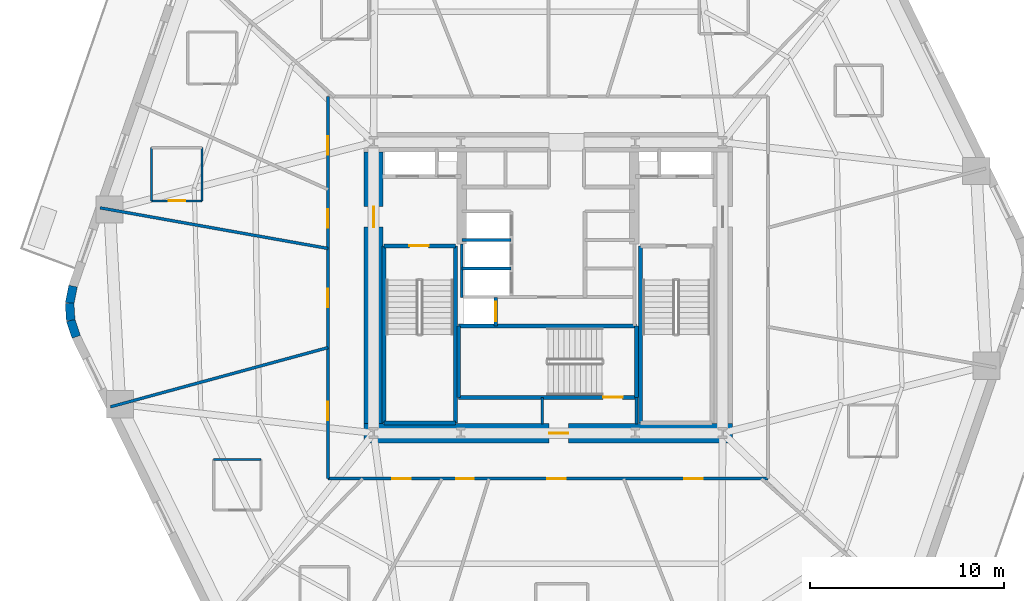
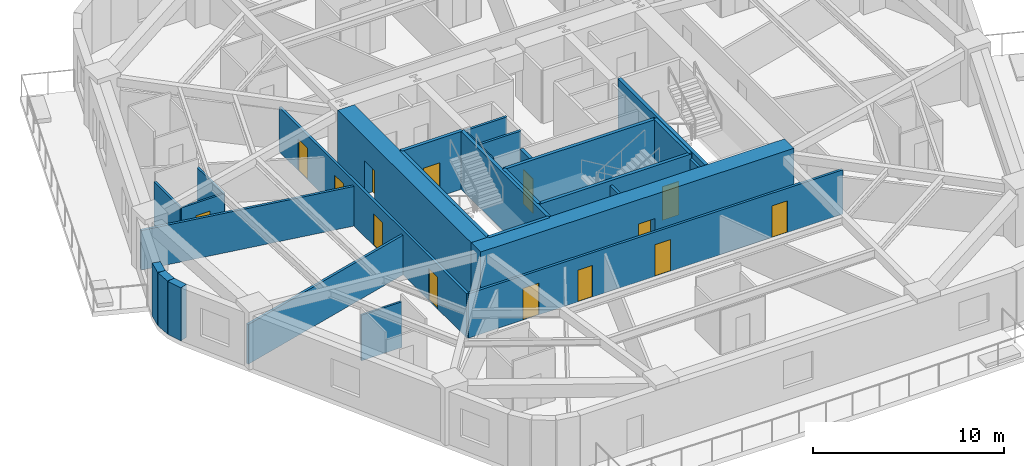
# One storey, part 3 of 10: 28 walls, 14 doors, 14 openings.
"""IFC4 building model written with IfcOpenShell, lengths in metres."""

from ifc_helpers import new_model, si_unit, direction, frame, frame_2d, origin, place, context, subcontext, project, spatial, rectangle, extrude, material, layer, layer_set, type_object, element, fill, save


model = new_model("IFC4")

# Units and contexts
model_context = context("Model", 3, precision=1e-05, world=origin(), true_north=direction((0.0, 1.0)))
body_context = subcontext(model_context, "Body", "Model", "MODEL_VIEW")
ifc_project = project(units=[si_unit("LENGTHUNIT", "METRE"), si_unit("AREAUNIT", "SQUARE_METRE"), si_unit("VOLUMEUNIT", "CUBIC_METRE"), si_unit("PLANEANGLEUNIT", "RADIAN"), si_unit("MASSUNIT", "GRAM", prefix="KILO")], contexts=[model_context])

# Site, building, storey
site_placement = place(None, origin())
site = spatial("IfcSite", under=ifc_project, at=site_placement, CompositionType="ELEMENT")
building_placement = place(site_placement, origin())
building = spatial("IfcBuilding", under=site, at=building_placement, Name="Kilnhurst Terrace Hotel", CompositionType="ELEMENT")
storey_placement = place(building_placement, frame((0.0, 0.0, 71.199951171875)))
storey = spatial("IfcBuildingStorey", under=building, at=storey_placement, Name="L16", CompositionType="ELEMENT", Elevation=71.199951171875)

# Walls
ifc_material_1 = material(Name="Precast concrete C40/50", Category="concrete")
ifc_layer_1 = layer(ifc_material_1, 0.449951171875, Name="Precast concrete C40/50")
ifc_layer_set_1 = layer_set([ifc_layer_1], Name="Precast concrete C40/50")
wall_type_1 = type_object("IfcWallType", Name="WL-BRK-450", PredefinedType="SOLIDWALL", material=ifc_layer_set_1)
wall_1_placement = place(storey_placement, frame((-24.49560546875, 0.07666015625, 0.0), z_axis=(0.0, 0.0, 1.0), x_axis=(-0.199570594521, -0.979883451132, 0.0)))
element("IfcWall", 1, at=wall_1_placement, inside=storey, type_object=wall_type_1, Name="L16 Rounded Corner Brick Wall C6.1", PredefinedType="SOLIDWALL", context=body_context, shape_type="SweptSolid", body=[
    extrude(rectangle(XDim=0.896728515625, YDim=0.449951171875, at=frame_2d((0.4482421875, 0.0))), origin(), (0.0, 0.0, 1.0), 3.400146484375),
])
wall_2_placement = place(storey_placement, frame((-24.674560546875, -0.802001953125, 0.0), z_axis=(0.0, 0.0, 1.0), x_axis=(0.061188874166, -0.998126205286, 0.0)))
element("IfcWall", 2, at=wall_2_placement, inside=storey, type_object=wall_type_1, Name="L16 Rounded Corner Brick Wall C6.2", PredefinedType="SOLIDWALL", context=body_context, shape_type="SweptSolid", body=[
    extrude(rectangle(XDim=0.8818359375, YDim=0.449951171875, at=frame_2d((0.44091796875, 0.0))), origin(), (0.0, 0.0, 1.0), 3.400146484375),
])
wall_3_placement = place(storey_placement, frame((-24.62060546875, -1.68212890625, 0.0), z_axis=(0.0, 0.0, 1.0), x_axis=(0.317697451681, -0.948192137278, 0.0)))
element("IfcWall", 3, at=wall_3_placement, inside=storey, type_object=wall_type_1, Name="L16 Rounded Corner Brick Wall C6.3", PredefinedType="SOLIDWALL", context=body_context, shape_type="SweptSolid", body=[
    extrude(rectangle(XDim=0.896728515625, YDim=0.449951171875, at=frame_2d((0.4482421875, 0.0))), origin(), (0.0, 0.0, 1.0), 3.400146484375),
])

# Wall, openings, doors
ifc_material_2 = material(Name="Acoustic Double-Gypsum Corridor Partition Assembly")
ifc_layer_2 = layer(ifc_material_2, 0.14990234375, Name="Acoustic Double-Gypsum Corridor Partition Assembly")
ifc_layer_set_2 = layer_set([ifc_layer_2], Name="Acoustic Double-Gypsum Corridor Partition Assembly")
wall_type_2 = type_object("IfcWallType", Name="WL-COR-150", PredefinedType="PARTITIONING", material=ifc_layer_set_2)
wall_4_placement = place(storey_placement, frame((-11.35009765625, -9.85009765625, 0.0), z_axis=(0.0, 0.0, 1.0), x_axis=(0.0, 1.0, 0.0)))
wall_4 = element("IfcWall", 4, at=wall_4_placement, inside=storey, type_object=wall_type_2, Name="L16 Interior Wall WL-L16-COR-01", PredefinedType="PARTITIONING", context=body_context, shape_type="SweptSolid", body=[
    extrude(rectangle(XDim=19.7001953125, YDim=0.14990234375, at=frame_2d((9.85009765625, 0.0))), origin(), (0.0, 0.0, 1.0), 2.840087890625),
])
opening_1_placement = place(wall_4_placement, frame((16.714111328125, 0.0, 0.0)))
opening_1 = element("IfcOpeningElement", 5, at=opening_1_placement, cuts=wall_4, Name="Opening D-60B", PredefinedType="OPENING", context=body_context, shape_type="SweptSolid", body=[
    extrude(rectangle(XDim=0.949951171875, YDim=2.030029296875, at=frame_2d((0.47509765625, 1.01513671875))), frame((0.0, 0.0849609375, 0.0), z_axis=(0.0, -1.0, 0.0), x_axis=(1.0, 0.0, 0.0)), (0.0, 0.0, 1.0), 0.169921875),
])
opening_2_placement = place(wall_4_placement, frame((12.931884765625, 0.0, 0.0)))
opening_2 = element("IfcOpeningElement", 6, at=opening_2_placement, cuts=wall_4, Name="Opening D-60B", PredefinedType="OPENING", context=body_context, shape_type="SweptSolid", body=[
    extrude(rectangle(XDim=0.949951171875, YDim=2.030029296875, at=frame_2d((0.47509765625, 1.01513671875))), frame((0.0, 0.0849609375, 0.0), z_axis=(0.0, -1.0, 0.0), x_axis=(1.0, 0.0, 0.0)), (0.0, 0.0, 1.0), 0.169921875),
])
opening_3_placement = place(wall_4_placement, frame((8.837890625, 0.0, 0.0)))
opening_3 = element("IfcOpeningElement", 7, at=opening_3_placement, cuts=wall_4, Name="Opening D-60B", PredefinedType="OPENING", context=body_context, shape_type="SweptSolid", body=[
    extrude(rectangle(XDim=0.949951171875, YDim=2.030029296875, at=frame_2d((0.47509765625, 1.01513671875))), frame((0.0, 0.0849609375, 0.0), z_axis=(0.0, -1.0, 0.0), x_axis=(1.0, 0.0, 0.0)), (0.0, 0.0, 1.0), 0.169921875),
])
opening_4_placement = place(wall_4_placement, frame((3.02392578125, 0.0, 0.0)))
opening_4 = element("IfcOpeningElement", 8, at=opening_4_placement, cuts=wall_4, Name="Opening D-60B", PredefinedType="OPENING", context=body_context, shape_type="SweptSolid", body=[
    extrude(rectangle(XDim=0.949951171875, YDim=2.030029296875, at=frame_2d((0.47509765625, 1.01513671875))), frame((0.0, 0.0849609375, 0.0), z_axis=(0.0, -1.0, 0.0), x_axis=(1.0, 0.0, 0.0)), (0.0, 0.0, 1.0), 0.169921875),
])
ifc_material_3 = material(Name="Acoustic Walnut Veneer Solid-Core Fire Door")
door_type_1 = type_object("IfcDoorType", Name="DR-FD60-950", OperationType="NOTDEFINED", PredefinedType="DOOR", material=ifc_material_3)
door_1_placement = place(opening_1_placement, origin())
door_1 = element("IfcDoor", 9, at=door_1_placement, inside=storey, type_object=door_type_1, Name="L16 Guest Room Entry Door 6", OperationType="SINGLE_SWING_RIGHT", OverallHeight=2.030029296875, OverallWidth=0.949951171875, PredefinedType="DOOR", context=body_context, shape_type="SweptSolid", body=[
    extrude(rectangle(XDim=0.949951171875, YDim=2.030029296875, at=frame_2d((0.47509765625, 1.01513671875))), frame((0.0, 0.02490234375, 0.0), z_axis=(0.0, -1.0, 0.0), x_axis=(1.0, 0.0, 0.0)), (0.0, 0.0, 1.0), 0.050048828125),
])
fill(opening_1, door_1)
door_2_placement = place(opening_2_placement, origin())
door_2 = element("IfcDoor", 10, at=door_2_placement, inside=storey, type_object=door_type_1, Name="L16 Guest Room Entry Door 7", OperationType="SINGLE_SWING_LEFT", OverallHeight=2.030029296875, OverallWidth=0.949951171875, PredefinedType="DOOR", context=body_context, shape_type="SweptSolid", body=[
    extrude(rectangle(XDim=0.949951171875, YDim=2.030029296875, at=frame_2d((0.47509765625, 1.01513671875))), frame((0.0, 0.02490234375, 0.0), z_axis=(0.0, -1.0, 0.0), x_axis=(1.0, 0.0, 0.0)), (0.0, 0.0, 1.0), 0.050048828125),
])
fill(opening_2, door_2)
door_3_placement = place(opening_3_placement, origin())
door_3 = element("IfcDoor", 11, at=door_3_placement, inside=storey, type_object=door_type_1, Name="L16 Wellness Treatment Suite Door", OperationType="SINGLE_SWING_RIGHT", OverallHeight=2.030029296875, OverallWidth=0.949951171875, PredefinedType="DOOR", context=body_context, shape_type="SweptSolid", body=[
    extrude(rectangle(XDim=0.949951171875, YDim=2.030029296875, at=frame_2d((0.47509765625, 1.01513671875))), frame((0.0, 0.02490234375, 0.0), z_axis=(0.0, -1.0, 0.0), x_axis=(1.0, 0.0, 0.0)), (0.0, 0.0, 1.0), 0.050048828125),
])
fill(opening_3, door_3)
door_4_placement = place(opening_4_placement, origin())
door_4 = element("IfcDoor", 12, at=door_4_placement, inside=storey, type_object=door_type_1, Name="L16 Executive Suite Entry Door 9", OperationType="SINGLE_SWING_LEFT", OverallHeight=2.030029296875, OverallWidth=0.949951171875, PredefinedType="DOOR", context=body_context, shape_type="SweptSolid", body=[
    extrude(rectangle(XDim=0.949951171875, YDim=2.030029296875, at=frame_2d((0.47509765625, 1.01513671875))), frame((0.0, 0.02490234375, 0.0), z_axis=(0.0, -1.0, 0.0), x_axis=(1.0, 0.0, 0.0)), (0.0, 0.0, 1.0), 0.050048828125),
])
fill(opening_4, door_4)

wall_5_placement = place(storey_placement, frame((11.35009765625, -9.85009765625, 0.0), z_axis=(0.0, 0.0, 1.0), x_axis=(-1.0, 0.0, 0.0)))
wall_5 = element("IfcWall", 13, at=wall_5_placement, inside=storey, type_object=wall_type_2, Name="L16 Interior Wall WL-L16-COR-04", PredefinedType="PARTITIONING", context=body_context, shape_type="SweptSolid", body=[
    extrude(rectangle(XDim=22.7001953125, YDim=0.14990234375, at=frame_2d((11.35009765625, 0.0))), origin(), (0.0, 0.0, 1.0), 2.840087890625),
])
opening_5_placement = place(wall_5_placement, frame((18.43603515625, 0.0, 0.0)))
opening_5 = element("IfcOpeningElement", 14, at=opening_5_placement, cuts=wall_5, Name="Opening D-60B", PredefinedType="OPENING", context=body_context, shape_type="SweptSolid", body=[
    extrude(rectangle(XDim=0.949951171875, YDim=2.030029296875, at=frame_2d((0.47509765625, 1.01513671875))), frame((0.0, 0.0849609375, 0.0), z_axis=(0.0, -1.0, 0.0), x_axis=(1.0, 0.0, 0.0)), (0.0, 0.0, 1.0), 0.169921875),
])
opening_6_placement = place(wall_5_placement, frame((15.176025390625, 0.0, 0.0)))
opening_6 = element("IfcOpeningElement", 15, at=opening_6_placement, cuts=wall_5, Name="Opening D-60C", PredefinedType="OPENING", context=body_context, shape_type="SweptSolid", body=[
    extrude(rectangle(XDim=0.89990234375, YDim=2.030029296875, at=frame_2d((0.449951171875, 1.01513671875))), frame((0.0, 0.0849609375, 0.0), z_axis=(0.0, -1.0, 0.0), x_axis=(1.0, 0.0, 0.0)), (0.0, 0.0, 1.0), 0.169921875),
])
opening_7_placement = place(wall_5_placement, frame((10.444091796875, 0.0, 0.0)))
opening_7 = element("IfcOpeningElement", 16, at=opening_7_placement, cuts=wall_5, Name="Opening D-60B", PredefinedType="OPENING", context=body_context, shape_type="SweptSolid", body=[
    extrude(rectangle(XDim=0.949951171875, YDim=2.030029296875, at=frame_2d((0.47509765625, 1.01513671875))), frame((0.0, 0.0849609375, 0.0), z_axis=(0.0, -1.0, 0.0), x_axis=(1.0, 0.0, 0.0)), (0.0, 0.0, 1.0), 0.169921875),
])
opening_8_placement = place(wall_5_placement, frame((3.368896484375, 0.0, 0.0)))
opening_8 = element("IfcOpeningElement", 17, at=opening_8_placement, cuts=wall_5, Name="Opening D-60B", PredefinedType="OPENING", context=body_context, shape_type="SweptSolid", body=[
    extrude(rectangle(XDim=0.949951171875, YDim=2.030029296875, at=frame_2d((0.47509765625, 1.01513671875))), frame((0.0, 0.0849609375, 0.0), z_axis=(0.0, -1.0, 0.0), x_axis=(1.0, 0.0, 0.0)), (0.0, 0.0, 1.0), 0.169921875),
])
ifc_material_4 = material(Name="Painted Solid-Core Service Fire Door")
door_type_2 = type_object("IfcDoorType", Name="DR-FD60-900", OperationType="NOTDEFINED", PredefinedType="DOOR", material=ifc_material_4)
door_5_placement = place(opening_6_placement, origin())
door_5 = element("IfcDoor", 18, at=door_5_placement, inside=storey, type_object=door_type_2, Name="L16 Executive Work Office Door 11", OperationType="SINGLE_SWING_LEFT", OverallHeight=2.030029296875, OverallWidth=0.89990234375, PredefinedType="DOOR", context=body_context, shape_type="SweptSolid", body=[
    extrude(rectangle(XDim=0.89990234375, YDim=2.030029296875, at=frame_2d((0.449951171875, 1.01513671875))), frame((0.0, 0.02490234375, 0.0), z_axis=(0.0, -1.0, 0.0), x_axis=(1.0, 0.0, 0.0)), (0.0, 0.0, 1.0), 0.050048828125),
])
fill(opening_6, door_5)
door_6_placement = place(opening_5_placement, origin())
door_6 = element("IfcDoor", 19, at=door_6_placement, inside=storey, type_object=door_type_1, Name="L16 Guest Room Entry Door 10", OperationType="SINGLE_SWING_RIGHT", OverallHeight=2.030029296875, OverallWidth=0.949951171875, PredefinedType="DOOR", context=body_context, shape_type="SweptSolid", body=[
    extrude(rectangle(XDim=0.949951171875, YDim=2.030029296875, at=frame_2d((0.47509765625, 1.01513671875))), frame((0.0, 0.02490234375, 0.0), z_axis=(0.0, -1.0, 0.0), x_axis=(1.0, 0.0, 0.0)), (0.0, 0.0, 1.0), 0.050048828125),
])
fill(opening_5, door_6)
door_7_placement = place(opening_7_placement, origin())
door_7 = element("IfcDoor", 20, at=door_7_placement, inside=storey, type_object=door_type_1, Name="L16 Executive Suite Entry Door 12", OperationType="SINGLE_SWING_RIGHT", OverallHeight=2.030029296875, OverallWidth=0.949951171875, PredefinedType="DOOR", context=body_context, shape_type="SweptSolid", body=[
    extrude(rectangle(XDim=0.949951171875, YDim=2.030029296875, at=frame_2d((0.47509765625, 1.01513671875))), frame((0.0, 0.02490234375, 0.0), z_axis=(0.0, -1.0, 0.0), x_axis=(1.0, 0.0, 0.0)), (0.0, 0.0, 1.0), 0.050048828125),
])
fill(opening_7, door_7)
door_8_placement = place(opening_8_placement, origin())
door_8 = element("IfcDoor", 21, at=door_8_placement, inside=storey, type_object=door_type_1, Name="L16 Concierge Office Door", OperationType="SINGLE_SWING_LEFT", OverallHeight=2.030029296875, OverallWidth=0.949951171875, PredefinedType="DOOR", context=body_context, shape_type="SweptSolid", body=[
    extrude(rectangle(XDim=0.949951171875, YDim=2.030029296875, at=frame_2d((0.47509765625, 1.01513671875))), frame((0.0, 0.02490234375, 0.0), z_axis=(0.0, -1.0, 0.0), x_axis=(1.0, 0.0, 0.0)), (0.0, 0.0, 1.0), 0.050048828125),
])
fill(opening_8, door_8)

# Wall, opening, door
ifc_material_5 = material(Name="Concrete C80/95", Category="concrete")
ifc_layer_3 = layer(ifc_material_5, 1.0, Name="Concrete C80/95")
ifc_layer_set_3 = layer_set([ifc_layer_3], Name="Concrete C80/95")
wall_type_3 = type_object("IfcWallType", Name="WL-CORE-1000", PredefinedType="SHEAR", material=ifc_layer_set_3)
wall_6_placement = place(storey_placement, frame((-9.5, -7.5, 0.0), z_axis=(0.0, 0.0, 1.0), x_axis=(1.0, 0.0, 0.0)))
wall_6 = element("IfcWall", 22, at=wall_6_placement, inside=storey, type_object=wall_type_3, Name="L16 Core South Shear Wall", PredefinedType="SHEAR", context=body_context, shape_type="SweptSolid", body=[
    extrude(rectangle(XDim=19.0, YDim=1.0, at=frame_2d((9.5, 0.0))), origin(), (0.0, 0.0, 1.0), 3.699951171875),
])
opening_9_placement = place(wall_6_placement, frame((9.550048828125, 0.0, 0.0)))
opening_9 = element("IfcOpeningElement", 23, at=opening_9_placement, cuts=wall_6, Name="Opening D-90B", PredefinedType="OPENING", context=body_context, shape_type="SweptSolid", body=[
    extrude(rectangle(XDim=1.0, YDim=2.14990234375, at=frame_2d((0.5, 1.074951171875))), frame((0.0, 0.510009765625, 0.0), z_axis=(0.0, -1.0, 0.0), x_axis=(1.0, 0.0, 0.0)), (0.0, 0.0, 1.0), 1.02001953125),
])
ifc_material_6 = material(Name="Painted Hollow Metal Steel ASTM A36 Fire Door", Category="steel")
door_type_3 = type_object("IfcDoorType", Name="DR-FD90-1000", OperationType="NOTDEFINED", PredefinedType="DOOR", material=ifc_material_6)
door_9_placement = place(opening_9_placement, origin())
door_9 = element("IfcDoor", 24, at=door_9_placement, inside=storey, type_object=door_type_3, Name="L16 Stair ST-3 Corridor Door", OperationType="SINGLE_SWING_RIGHT", OverallHeight=2.14990234375, OverallWidth=1.0, PredefinedType="DOOR", context=body_context, shape_type="SweptSolid", body=[
    extrude(rectangle(XDim=1.0, YDim=2.14990234375, at=frame_2d((0.5, 1.074951171875))), frame((0.0, 0.02490234375, 0.0), z_axis=(0.0, -1.0, 0.0), x_axis=(1.0, 0.0, 0.0)), (0.0, 0.0, 1.0), 0.050048828125),
])
fill(opening_9, door_9)

wall_7_placement = place(storey_placement, frame((-9.0, -7.0, 0.0), z_axis=(0.0, 0.0, 1.0), x_axis=(0.0, 1.0, 0.0)))
wall_7 = element("IfcWall", 25, at=wall_7_placement, inside=storey, type_object=wall_type_3, Name="L16 Core West Shear Wall", PredefinedType="SHEAR", context=body_context, shape_type="SweptSolid", body=[
    extrude(rectangle(XDim=14.0, YDim=1.0, at=frame_2d((7.0, 0.0))), origin(), (0.0, 0.0, 1.0), 3.699951171875),
])
opening_10_placement = place(wall_7_placement, frame((10.125, 0.0, 0.0)))
opening_10 = element("IfcOpeningElement", 26, at=opening_10_placement, cuts=wall_7, Name="Opening D-90A", PredefinedType="OPENING", context=body_context, shape_type="SweptSolid", body=[
    extrude(rectangle(XDim=1.050048828125, YDim=2.14990234375, at=frame_2d((0.52490234375, 1.074951171875))), frame((0.0, 0.510009765625, 0.0), z_axis=(0.0, -1.0, 0.0), x_axis=(1.0, 0.0, 0.0)), (0.0, 0.0, 1.0), 1.02001953125),
])
door_type_4 = type_object("IfcDoorType", Name="DR-FD90-1050", OperationType="NOTDEFINED", PredefinedType="DOOR", material=ifc_material_6)
door_10_placement = place(opening_10_placement, origin())
door_10 = element("IfcDoor", 27, at=door_10_placement, inside=storey, type_object=door_type_4, Name="L16 West Firefighting Lobby Door", OperationType="SINGLE_SWING_RIGHT", OverallHeight=2.14990234375, OverallWidth=1.050048828125, PredefinedType="DOOR", context=body_context, shape_type="SweptSolid", body=[
    extrude(rectangle(XDim=1.050048828125, YDim=2.14990234375, at=frame_2d((0.52490234375, 1.074951171875))), frame((0.0, 0.02490234375, 0.0), z_axis=(0.0, -1.0, 0.0), x_axis=(1.0, 0.0, 0.0)), (0.0, 0.0, 1.0), 0.050048828125),
])
fill(opening_10, door_10)

# Walls
ifc_material_7 = material(Name="STC-58 Acoustic Twin-Frame Guestroom Demising Partition")
ifc_layer_4 = layer(ifc_material_7, 0.14990234375, Name="STC-58 Acoustic Twin-Frame Guestroom Demising Partition")
ifc_layer_set_4 = layer_set([ifc_layer_4], Name="STC-58 Acoustic Twin-Frame Guestroom Demising Partition")
wall_type_4 = type_object("IfcWallType", Name="WL-DEM-150", PredefinedType="PARTITIONING", material=ifc_layer_set_4)
wall_8_placement = place(storey_placement, frame((-11.35009765625, 2.022705078125, 0.0), z_axis=(0.0, 0.0, 1.0), x_axis=(-0.984493741877, 0.17541970301, 0.0)))
element("IfcWall", 28, at=wall_8_placement, inside=storey, type_object=wall_type_4, Name="L16 Interior Wall WL-L16-DEM-COL06-08-1", PredefinedType="PARTITIONING", context=body_context, shape_type="SweptSolid", body=[
    extrude(rectangle(XDim=11.93701171875, YDim=0.14990234375, at=frame_2d((5.968505859375, 0.0))), origin(), (0.0, 0.0, 1.0), 2.5400390625),
])
wall_9_placement = place(storey_placement, frame((-11.35009765625, -3.0908203125, 0.0), z_axis=(0.0, 0.0, 1.0), x_axis=(-0.964859685283, -0.262765651704, 0.0)))
element("IfcWall", 29, at=wall_9_placement, inside=storey, type_object=wall_type_4, Name="L16 Interior Wall WL-L16-DEM-COL07-09-1", PredefinedType="PARTITIONING", context=body_context, shape_type="SweptSolid", body=[
    extrude(rectangle(XDim=11.62890625, YDim=0.14990234375, at=frame_2d((5.814453125, 0.0))), origin(), (0.0, 0.0, 1.0), 2.5400390625),
])

# Wall, opening, door
ifc_material_8 = material(Name="120 mm Moisture-Resistant Tile-Backed Bathroom Partition")
ifc_layer_5 = layer(ifc_material_8, 0.1201171875, Name="120 mm Moisture-Resistant Tile-Backed Bathroom Partition")
ifc_layer_set_5 = layer_set([ifc_layer_5], Name="120 mm Moisture-Resistant Tile-Backed Bathroom Partition")
wall_type_5 = type_object("IfcWallType", Name="WL-PART-120", PredefinedType="PARTITIONING", material=ifc_layer_set_5)
wall_10_placement = place(storey_placement, frame((-20.448974609375, 4.47412109375, 0.0), z_axis=(0.0, 0.0, 1.0), x_axis=(1.0, 0.0, 0.0)))
wall_10 = element("IfcWall", 30, at=wall_10_placement, inside=storey, type_object=wall_type_5, Name="L16 Interior Wall WL-L16-BTH-07-1", PredefinedType="PARTITIONING", context=body_context, shape_type="SweptSolid", body=[
    extrude(rectangle(XDim=2.599853515625, YDim=0.1201171875, at=frame_2d((1.2998046875, 0.0))), origin(), (0.0, 0.0, 1.0), 2.840087890625),
])
opening_11_placement = place(wall_10_placement, frame((0.875, 0.0, 0.0)))
opening_11 = element("IfcOpeningElement", 31, at=opening_11_placement, cuts=wall_10, Name="Opening D-08A", PredefinedType="OPENING", context=body_context, shape_type="SweptSolid", body=[
    extrude(rectangle(XDim=0.85009765625, YDim=2.030029296875, at=frame_2d((0.425048828125, 1.01513671875))), frame((0.0, 0.070068359375, 0.0), z_axis=(0.0, -1.0, 0.0), x_axis=(1.0, 0.0, 0.0)), (0.0, 0.0, 1.0), 0.14013671875),
])
ifc_material_9 = material(Name="Moisture-Resistant Lacquered En-suite Bathroom Door")
door_type_5 = type_object("IfcDoorType", Name="DR-INT-850", OperationType="NOTDEFINED", PredefinedType="DOOR", material=ifc_material_9)
door_11_placement = place(opening_11_placement, origin())
door_11 = element("IfcDoor", 32, at=door_11_placement, inside=storey, type_object=door_type_5, Name="L16 En-suite Bathroom Door 7", OperationType="SINGLE_SWING_RIGHT", OverallHeight=2.030029296875, OverallWidth=0.85009765625, PredefinedType="DOOR", context=body_context, shape_type="SweptSolid", body=[
    extrude(rectangle(XDim=0.85009765625, YDim=2.030029296875, at=frame_2d((0.425048828125, 1.01513671875))), frame((0.0, 0.02490234375, 0.0), z_axis=(0.0, -1.0, 0.0), x_axis=(1.0, 0.0, 0.0)), (0.0, 0.0, 1.0), 0.050048828125),
])
fill(opening_11, door_11)

# Walls
for number, where, z_axis, x_axis, name in (
    (33, (-17.84912109375, 4.47412109375, 0.0), (0.0, 0.0, 1.0), (0.0, 1.0, 0.0), "L16 Interior Wall WL-L16-BTH-07-2"),
    (34, (-20.448974609375, 7.22412109375, 0.0), (0.0, 0.0, 1.0), (0.0, -1.0, 0.0), "L16 Interior Wall WL-L16-BTH-07-4"),
):
    element("IfcWall", number, at=place(storey_placement, frame(where, z_axis=z_axis, x_axis=x_axis)), inside=storey, type_object=wall_type_5, Name=name, PredefinedType="PARTITIONING", context=body_context, shape_type="SweptSolid", body=[
        extrude(rectangle(XDim=2.75, YDim=0.1201171875, at=frame_2d((1.375, 0.0))), origin(), (0.0, 0.0, 1.0), 2.840087890625),
    ])
wall_11_placement = place(storey_placement, frame((-14.803955078125, -8.860107421875, 0.0), z_axis=(0.0, 0.0, 1.0), x_axis=(-1.0, 0.0, 0.0)))
element("IfcWall", 35, at=wall_11_placement, inside=storey, type_object=wall_type_5, Name="L16 Interior Wall WL-L16-BTH-09-3", PredefinedType="PARTITIONING", context=body_context, shape_type="SweptSolid", body=[
    extrude(rectangle(XDim=2.43994140625, YDim=0.1201171875, at=frame_2d((1.219970703125, 0.0))), origin(), (0.0, 0.0, 1.0), 2.926513671875),
])
ifc_material_10 = material(Name="Fire-Rated Gypsum Shaftliner Assembly")
ifc_layer_6 = layer(ifc_material_10, 0.14990234375, Name="Fire-Rated Gypsum Shaftliner Assembly")
ifc_layer_set_6 = layer_set([ifc_layer_6], Name="Fire-Rated Gypsum Shaftliner Assembly")
wall_type_6 = type_object("IfcWallType", Name="WL-SHAFT-150", PredefinedType="PARTITIONING", material=ifc_layer_set_6)
for number, where, z_axis, x_axis, name in (
    (36, (-0.300048828125, -7.02001953125, 0.0), (0.0, 0.0, 1.0), (0.0, 1.0, 0.0), "L16 Interior Wall WL-L16-ST3-PSGW"),
    (37, (4.55810546875, -7.02001953125, 0.0), (0.0, 0.0, 1.0), (0.0, 1.0, 0.0), "L16 Interior Wall WL-L16-ST3-PSGE"),
):
    element("IfcWall", number, at=place(storey_placement, frame(where, z_axis=z_axis, x_axis=x_axis)), inside=storey, type_object=wall_type_6, Name=name, PredefinedType="PARTITIONING", context=body_context, shape_type="SweptSolid", body=[
        extrude(rectangle(XDim=1.362060546875, YDim=0.14990234375, at=frame_2d((0.68115234375, 0.0))), origin(), (0.0, 0.0, 1.0), 3.400146484375),
    ])
wall_12_placement = place(storey_placement, frame((-4.449951171875, -0.5, 0.0), z_axis=(0.0, 0.0, 1.0), x_axis=(0.0, 1.0, 0.0)))
element("IfcWall", 38, at=wall_12_placement, inside=storey, type_object=wall_type_6, Name="L16 Interior Wall WL-L16-XLOB-W", PredefinedType="PARTITIONING", context=body_context, shape_type="SweptSolid", body=[
    extrude(rectangle(XDim=2.75, YDim=0.14990234375, at=frame_2d((1.375, 0.0))), origin(), (0.0, 0.0, 1.0), 3.400146484375),
])
for number, where, z_axis, x_axis, name in (
    (39, (-4.449951171875, 0.97998046875, 0.0), (0.0, 0.0, 1.0), (1.0, 0.0, 0.0), "L16 Interior Wall WL-L16-LR-D1"),
    (40, (-4.449951171875, 2.4599609375, 0.0), (0.0, 0.0, 1.0), (1.0, 0.0, 0.0), "L16 Interior Wall WL-L16-LR-D2"),
):
    element("IfcWall", number, at=place(storey_placement, frame(where, z_axis=z_axis, x_axis=x_axis)), inside=storey, type_object=wall_type_6, Name=name, PredefinedType="PARTITIONING", context=body_context, shape_type="SweptSolid", body=[
        extrude(rectangle(XDim=2.550048828125, YDim=0.14990234375, at=frame_2d((1.27490234375, 0.0))), origin(), (0.0, 0.0, 1.0), 3.400146484375),
    ])

# Wall, opening, door
ifc_material_11 = material(Name="Autoclaved Aerated Concrete C30/37 and Gypsum Shaft Assembly", Category="concrete")
ifc_layer_7 = layer(ifc_material_11, 0.199951171875, Name="Autoclaved Aerated Concrete C30/37 and Gypsum Shaft Assembly")
ifc_layer_set_7 = layer_set([ifc_layer_7], Name="Autoclaved Aerated Concrete C30/37 and Gypsum Shaft Assembly")
wall_type_7 = type_object("IfcWallType", Name="WL-SHAFT-200", PredefinedType="PARTITIONING", material=ifc_layer_set_7)
wall_13_placement = place(storey_placement, frame((-2.699951171875, -1.971923828125, 0.0), z_axis=(0.0, 0.0, 1.0), x_axis=(0.0, 1.0, 0.0)))
wall_13 = element("IfcWall", 41, at=wall_13_placement, inside=storey, type_object=wall_type_7, Name="L16 Interior Wall WL-L16-SRV1-E", PredefinedType="PARTITIONING", context=body_context, shape_type="SweptSolid", body=[
    extrude(rectangle(XDim=1.471923828125, YDim=0.199951171875, at=frame_2d((0.73583984375, 0.0))), origin(), (0.0, 0.0, 1.0), 3.400146484375),
])
opening_12_placement = place(wall_13_placement, frame((0.239990234375, 0.0, 0.0)))
opening_12 = element("IfcOpeningElement", 42, at=opening_12_placement, cuts=wall_13, Name="Opening LD-SV", PredefinedType="OPENING", context=body_context, shape_type="SweptSolid", body=[
    extrude(rectangle(XDim=1.0, YDim=2.199951171875, at=frame_2d((0.5, 1.10009765625))), frame((0.0, 0.10986328125, 0.0), z_axis=(0.0, -1.0, 0.0), x_axis=(1.0, 0.0, 0.0)), (0.0, 0.0, 1.0), 0.219970703125),
])
ifc_material_12 = material(Name="Bronze-Anodized Stainless Steel AISI 316L Sliding Door", Category="steel")
door_type_6 = type_object("IfcDoorType", Name="DR-LIFT-1000", OperationType="NOTDEFINED", PredefinedType="DOOR", material=ifc_material_12)
door_12_placement = place(opening_12_placement, origin())
door_12 = element("IfcDoor", 43, at=door_12_placement, inside=storey, type_object=door_type_6, Name="L16 Service Lift SRV-1 Landing Door", OperationType="SLIDING_TO_LEFT", OverallHeight=2.199951171875, OverallWidth=1.0, PredefinedType="DOOR", context=body_context, shape_type="SweptSolid", body=[
    extrude(rectangle(XDim=1.0, YDim=2.199951171875, at=frame_2d((0.5, 1.10009765625))), frame((0.0, 0.02490234375, 0.0), z_axis=(0.0, -1.0, 0.0), x_axis=(1.0, 0.0, 0.0)), (0.0, 0.0, 1.0), 0.050048828125),
])
fill(opening_12, door_12)

# Walls
ifc_material_13 = material(Name="Concrete C50/60", Category="concrete")
ifc_layer_8 = layer(ifc_material_13, 0.199951171875, Name="Concrete C50/60")
ifc_layer_set_8 = layer_set([ifc_layer_8], Name="Concrete C50/60")
wall_type_8 = type_object("IfcWallType", Name="WL-STAIR-RC-200", PredefinedType="SHEAR", material=ifc_layer_set_8)
for number, where, z_axis, x_axis, name in (
    (44, (-8.4580078125, -6.985107421875, 0.0), (0.0, 0.0, 1.0), (0.0, 1.0, 0.0), "L16 Structural Stair Shaft Wall WL-L16-ST1-W"),
    (45, (-4.77197265625, -6.985107421875, 0.0), (0.0, 0.0, 1.0), (0.0, 1.0, 0.0), "L16 Structural Stair Shaft Wall WL-L16-ST1-E"),
):
    element("IfcWall", number, at=place(storey_placement, frame(where, z_axis=z_axis, x_axis=x_axis)), inside=storey, type_object=wall_type_8, Name=name, PredefinedType="SHEAR", context=body_context, shape_type="SweptSolid", body=[
        extrude(rectangle(XDim=9.14306640625, YDim=0.199951171875, at=frame_2d((4.571533203125, 0.0))), origin(), (0.0, 0.0, 1.0), 3.699951171875),
    ])
wall_14_placement = place(storey_placement, frame((-8.4580078125, -6.985107421875, 0.0), z_axis=(0.0, 0.0, 1.0), x_axis=(1.0, 0.0, 0.0)))
element("IfcWall", 46, at=wall_14_placement, inside=storey, type_object=wall_type_8, Name="L16 Structural Stair Shaft Wall WL-L16-ST1-S", PredefinedType="SHEAR", context=body_context, shape_type="SweptSolid", body=[
    extrude(rectangle(XDim=3.68603515625, YDim=0.199951171875, at=frame_2d((1.843017578125, 0.0))), origin(), (0.0, 0.0, 1.0), 3.699951171875),
])

# Wall, opening, door
wall_15_placement = place(storey_placement, frame((-8.4580078125, 2.157958984375, 0.0), z_axis=(0.0, 0.0, 1.0), x_axis=(1.0, 0.0, 0.0)))
wall_15 = element("IfcWall", 47, at=wall_15_placement, inside=storey, type_object=wall_type_8, Name="L16 Structural Stair Shaft Wall WL-L16-ST1-N", PredefinedType="SHEAR", context=body_context, shape_type="SweptSolid", body=[
    extrude(rectangle(XDim=3.68603515625, YDim=0.199951171875, at=frame_2d((1.843017578125, 0.0))), origin(), (0.0, 0.0, 1.0), 3.699951171875),
])
opening_13_placement = place(wall_15_placement, frame((1.300048828125, 0.0, 0.0)))
opening_13 = element("IfcOpeningElement", 48, at=opening_13_placement, cuts=wall_15, Name="Opening D-90B", PredefinedType="OPENING", context=body_context, shape_type="SweptSolid", body=[
    extrude(rectangle(XDim=1.0, YDim=2.14990234375, at=frame_2d((0.5, 1.074951171875))), frame((0.0, 0.10986328125, 0.0), z_axis=(0.0, -1.0, 0.0), x_axis=(1.0, 0.0, 0.0)), (0.0, 0.0, 1.0), 0.219970703125),
])
door_13_placement = place(opening_13_placement, origin())
door_13 = element("IfcDoor", 49, at=door_13_placement, inside=storey, type_object=door_type_3, Name="L16 Stair ST-1 Door", OperationType="SINGLE_SWING_LEFT", OverallHeight=2.14990234375, OverallWidth=1.0, PredefinedType="DOOR", context=body_context, shape_type="SweptSolid", body=[
    extrude(rectangle(XDim=1.0, YDim=2.14990234375, at=frame_2d((0.5, 1.074951171875))), frame((0.0, 0.02490234375, 0.0), z_axis=(0.0, -1.0, 0.0), x_axis=(1.0, 0.0, 0.0)), (0.0, 0.0, 1.0), 0.050048828125),
])
fill(opening_13, door_13)

# Walls
wall_16_placement = place(storey_placement, frame((4.77197265625, -6.985107421875, 0.0), z_axis=(0.0, 0.0, 1.0), x_axis=(0.0, 1.0, 0.0)))
element("IfcWall", 50, at=wall_16_placement, inside=storey, type_object=wall_type_8, Name="L16 Structural Stair Shaft Wall WL-L16-ST2-W", PredefinedType="SHEAR", context=body_context, shape_type="SweptSolid", body=[
    extrude(rectangle(XDim=9.14306640625, YDim=0.199951171875, at=frame_2d((4.571533203125, 0.0))), origin(), (0.0, 0.0, 1.0), 3.699951171875),
])
wall_17_placement = place(storey_placement, frame((-4.60791015625, -5.657958984375, 0.0), z_axis=(0.0, 0.0, 1.0), x_axis=(0.0, 1.0, 0.0)))
element("IfcWall", 51, at=wall_17_placement, inside=storey, type_object=wall_type_8, Name="L16 Structural Stair Shaft Wall WL-L16-ST3-W", PredefinedType="SHEAR", context=body_context, shape_type="SweptSolid", body=[
    extrude(rectangle(XDim=3.68603515625, YDim=0.199951171875, at=frame_2d((1.843017578125, 0.0))), origin(), (0.0, 0.0, 1.0), 3.699951171875),
])

# Wall, opening, door
wall_18_placement = place(storey_placement, frame((-4.60791015625, -5.657958984375, 0.0), z_axis=(0.0, 0.0, 1.0), x_axis=(1.0, 0.0, 0.0)))
wall_18 = element("IfcWall", 52, at=wall_18_placement, inside=storey, type_object=wall_type_8, Name="L16 Structural Stair Shaft Wall WL-L16-ST3-S", PredefinedType="SHEAR", context=body_context, shape_type="SweptSolid", body=[
    extrude(rectangle(XDim=9.166015625, YDim=0.199951171875, at=frame_2d((4.5830078125, 0.0))), origin(), (0.0, 0.0, 1.0), 3.699951171875),
])
opening_14_placement = place(wall_18_placement, frame((7.449951171875, 0.0, 0.0)))
opening_14 = element("IfcOpeningElement", 53, at=opening_14_placement, cuts=wall_18, Name="Opening D-90B", PredefinedType="OPENING", context=body_context, shape_type="SweptSolid", body=[
    extrude(rectangle(XDim=1.0, YDim=2.14990234375, at=frame_2d((0.5, 1.074951171875))), frame((0.0, 0.10986328125, 0.0), z_axis=(0.0, -1.0, 0.0), x_axis=(1.0, 0.0, 0.0)), (0.0, 0.0, 1.0), 0.219970703125),
])
door_14_placement = place(opening_14_placement, origin())
door_14 = element("IfcDoor", 54, at=door_14_placement, inside=storey, type_object=door_type_3, Name="L16 Stair ST-3 Shaft Door", OperationType="SINGLE_SWING_LEFT", OverallHeight=2.14990234375, OverallWidth=1.0, PredefinedType="DOOR", context=body_context, shape_type="SweptSolid", body=[
    extrude(rectangle(XDim=1.0, YDim=2.14990234375, at=frame_2d((0.5, 1.074951171875))), frame((0.0, 0.02490234375, 0.0), z_axis=(0.0, -1.0, 0.0), x_axis=(1.0, 0.0, 0.0)), (0.0, 0.0, 1.0), 0.050048828125),
])
fill(opening_14, door_14)

# Walls
wall_19_placement = place(storey_placement, frame((-4.60791015625, -1.971923828125, 0.0), z_axis=(0.0, 0.0, 1.0), x_axis=(1.0, 0.0, 0.0)))
element("IfcWall", 55, at=wall_19_placement, inside=storey, type_object=wall_type_8, Name="L16 Structural Stair Shaft Wall WL-L16-ST3-N", PredefinedType="SHEAR", context=body_context, shape_type="SweptSolid", body=[
    extrude(rectangle(XDim=9.166015625, YDim=0.199951171875, at=frame_2d((4.5830078125, 0.0))), origin(), (0.0, 0.0, 1.0), 3.699951171875),
])
wall_20_placement = place(storey_placement, frame((4.55810546875, -5.657958984375, 0.0), z_axis=(0.0, 0.0, 1.0), x_axis=(0.0, 1.0, 0.0)))
element("IfcWall", 56, at=wall_20_placement, inside=storey, type_object=wall_type_8, Name="L16 Structural Stair Shaft Wall WL-L16-ST3-E", PredefinedType="SHEAR", context=body_context, shape_type="SweptSolid", body=[
    extrude(rectangle(XDim=3.68603515625, YDim=0.199951171875, at=frame_2d((1.843017578125, 0.0))), origin(), (0.0, 0.0, 1.0), 3.699951171875),
])

save(model, "model.ifc")
